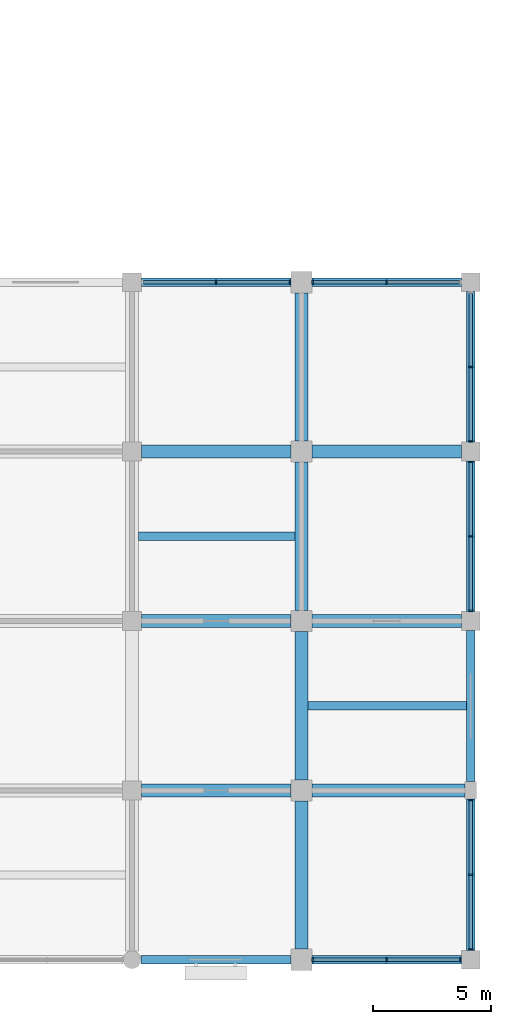
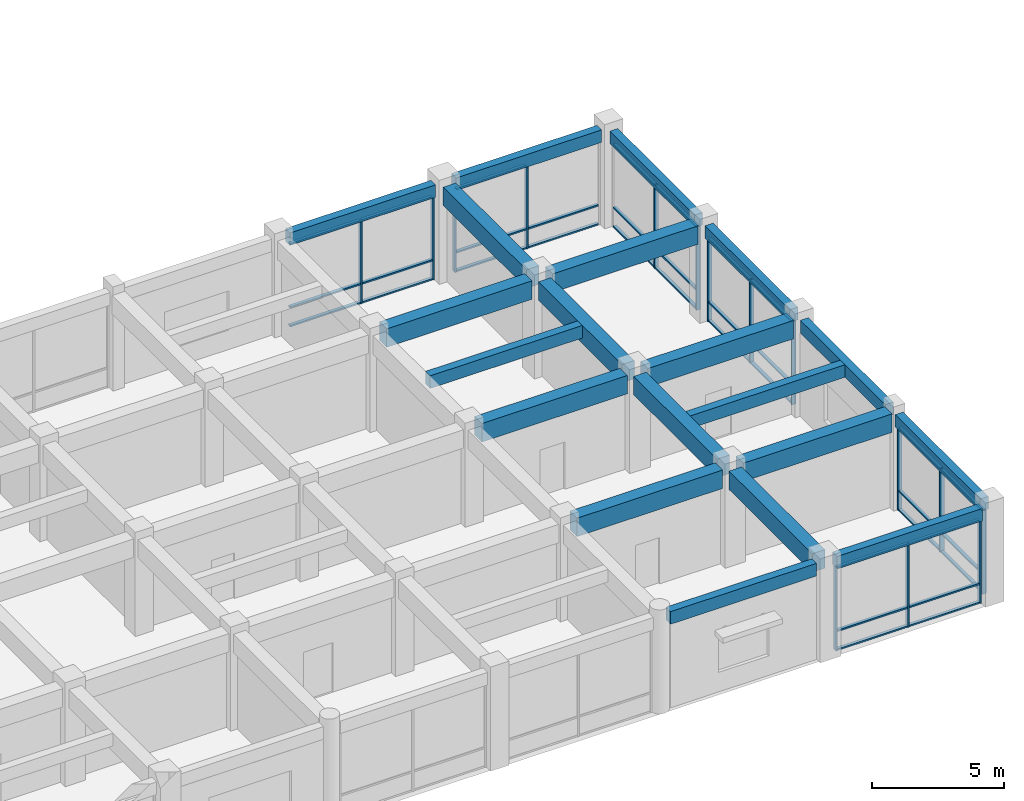
# One storey, part 32 of 75: 50 members, 20 beams, 6 elements without a shape of their own.
"""IFC4 building model written with IfcOpenShell, lengths in metres."""

from ifc_helpers import new_model, si_unit, direction, frame, origin, origin_2d, place, context, subcontext, project, spatial, rectangle, extrude, material, layer, layer_set, material_profile, profile_set, type_object, element, aggregate, save


model = new_model("IFC4")

# Units and contexts
model_context = context("Model", 3, precision=1e-05, world=origin(), true_north=direction((0.0, 1.0)))
body_context = subcontext(model_context, "Body", "Model", "MODEL_VIEW")
ifc_project = project(units=[si_unit("LENGTHUNIT", "METRE"), si_unit("AREAUNIT", "SQUARE_METRE"), si_unit("VOLUMEUNIT", "CUBIC_METRE"), si_unit("PLANEANGLEUNIT", "RADIAN"), si_unit("MASSUNIT", "GRAM", prefix="KILO")], contexts=[model_context])

# Site, building, storey
site_placement = place(None, origin())
site = spatial("IfcSite", under=ifc_project, at=site_placement, CompositionType="ELEMENT")
building_placement = place(site_placement, origin())
building = spatial("IfcBuilding", under=site, at=building_placement, Name="Cendaluz Park School", CompositionType="ELEMENT")
storey_placement = place(building_placement, frame((0.0, 0.0, 4.800048828125)))
storey = spatial("IfcBuildingStorey", under=building, at=storey_placement, Name="L01", CompositionType="ELEMENT", Elevation=4.800048828125)

# Beams
ifc_material_1 = material(Name="Concrete C40/50", Category="concrete")
ifc_material_profile_1 = material_profile(ifc_material_1, rectangle(XDim=0.550048828125, YDim=0.85009765625, at=origin_2d()), Name="RC 550x850", Category="concrete")
ifc_profile_set_1 = profile_set([ifc_material_profile_1], Name="Concrete C40/50")
beam_type_1 = type_object("IfcBeamType", Name="BM-RC01", PredefinedType="BEAM", material=ifc_profile_set_1)
for number, where, z_axis, x_axis, name in (
    (1, (158.800048828125, 7.199951171875, 4.0048828125), (1.0, 0.0, 0.0), (0.0, 1.0, 0.0), "BM-L01-BMRC01-0203"),
    (2, (158.800048828125, 14.39990234375, 4.0048828125), (1.0, 0.0, 0.0), (0.0, 1.0, 0.0), "BM-L01-BMRC01-0204"),
    (3, (158.800048828125, 21.60009765625, 4.0048828125), (1.0, 0.0, 0.0), (0.0, 1.0, 0.0), "BM-L01-BMRC01-0205"),
):
    element("IfcBeam", number, at=place(storey_placement, frame(where, z_axis=z_axis, x_axis=x_axis)), inside=storey, type_object=beam_type_1, Name=name, PredefinedType="BEAM", context=body_context, shape_type="SweptSolid", body=[
        extrude(rectangle(XDim=0.550048828125, YDim=0.85009765625, at=origin_2d()), origin(), (0.0, 0.0, 1.0), 6.349853515625),
    ])
beam_1_placement = place(storey_placement, frame((166.050048828125, 7.199951171875, 4.0048828125), z_axis=(1.0, 0.0, 0.0), x_axis=(0.0, 1.0, 0.0)))
element("IfcBeam", 4, at=beam_1_placement, inside=storey, type_object=beam_type_1, Name="BM-L01-BMRC01-0212", PredefinedType="BEAM", context=body_context, shape_type="SweptSolid", body=[
    extrude(rectangle(XDim=0.550048828125, YDim=0.85009765625, at=origin_2d()), origin(), (0.0, 0.0, 1.0), 6.5),
])
for number, where, z_axis, x_axis, name in (
    (5, (166.050048828125, 14.39990234375, 4.0048828125), (1.0, 0.0, 0.0), (0.0, 1.0, 0.0), "BM-L01-BMRC01-0213"),
    (6, (166.050048828125, 21.60009765625, 4.0048828125), (1.0, 0.0, 0.0), (0.0, 1.0, 0.0), "BM-L01-BMRC01-0214"),
):
    element("IfcBeam", number, at=place(storey_placement, frame(where, z_axis=z_axis, x_axis=x_axis)), inside=storey, type_object=beam_type_1, Name=name, PredefinedType="BEAM", context=body_context, shape_type="SweptSolid", body=[
        extrude(rectangle(XDim=0.550048828125, YDim=0.85009765625, at=origin_2d()), origin(), (0.0, 0.0, 1.0), 6.349853515625),
    ])
for number, where, z_axis, x_axis, name in (
    (7, (165.60009765625, 0.449951171875, 4.0048828125), (0.0, 1.0, 0.0), (-1.0, 0.0, 0.0), "BM-L01-BMRC01-0441"),
    (8, (165.60009765625, 7.64990234375, 4.0048828125), (0.0, 1.0, 0.0), (-1.0, 0.0, 0.0), "BM-L01-BMRC01-0442"),
):
    element("IfcBeam", number, at=place(storey_placement, frame(where, z_axis=z_axis, x_axis=x_axis)), inside=storey, type_object=beam_type_1, Name=name, PredefinedType="BEAM", context=body_context, shape_type="SweptSolid", body=[
        extrude(rectangle(XDim=0.550048828125, YDim=0.85009765625, at=origin_2d()), origin(), (0.0, 0.0, 1.0), 6.300048828125),
    ])
beam_2_placement = place(storey_placement, frame((165.60009765625, 14.85009765625, 4.0048828125), z_axis=(0.0, 1.0, 0.0), x_axis=(-1.0, 0.0, 0.0)))
element("IfcBeam", 9, at=beam_2_placement, inside=storey, type_object=beam_type_1, Name="BM-L01-BMRC01-0443", PredefinedType="BEAM", context=body_context, shape_type="SweptSolid", body=[
    extrude(rectangle(XDim=0.550048828125, YDim=0.85009765625, at=origin_2d()), origin(), (0.0, 0.0, 1.0), 6.2998046875),
])
beam_3_placement = place(storey_placement, frame((165.60009765625, 22.050048828125, 4.0048828125), z_axis=(0.0, 1.0, 0.0), x_axis=(-1.0, 0.0, 0.0)))
element("IfcBeam", 10, at=beam_3_placement, inside=storey, type_object=beam_type_1, Name="BM-L01-BMRC01-0444", PredefinedType="BEAM", context=body_context, shape_type="SweptSolid", body=[
    extrude(rectangle(XDim=0.550048828125, YDim=0.85009765625, at=origin_2d()), origin(), (0.0, 0.0, 1.0), 6.300048828125),
])
ifc_material_profile_2 = material_profile(ifc_material_1, rectangle(XDim=0.35009765625, YDim=0.580078125, at=origin_2d()), Name="RC 350x580", Category="concrete")
ifc_profile_set_2 = profile_set([ifc_material_profile_2], Name="Concrete C40/50")
beam_type_2 = type_object("IfcBeamType", Name="BM-RC04", PredefinedType="LINTEL", material=ifc_profile_set_2)
beam_4_placement = place(storey_placement, frame((158.77490234375, 0.0, 4.139892578125), z_axis=(1.0, 0.0, 0.0), x_axis=(0.0, 1.0, 0.0)))
element("IfcBeam", 11, at=beam_4_placement, inside=storey, type_object=beam_type_2, Name="BM-L01-BMRC04-0202", PredefinedType="LINTEL", context=body_context, shape_type="SweptSolid", body=[
    extrude(rectangle(XDim=0.35009765625, YDim=0.580078125, at=origin_2d()), origin(), (0.0, 0.0, 1.0), 6.375),
])
for number, where, z_axis, x_axis, name in (
    (12, (158.800048828125, 28.800048828125, 4.139892578125), (1.0, 0.0, 0.0), (0.0, 1.0, 0.0), "BM-L01-BMRC04-0206"),
    (13, (166.050048828125, 0.0, 4.139892578125), (1.0, 0.0, 0.0), (0.0, 1.0, 0.0), "BM-L01-BMRC04-0211"),
    (14, (166.050048828125, 28.800048828125, 4.139892578125), (1.0, 0.0, 0.0), (0.0, 1.0, 0.0), "BM-L01-BMRC04-0215"),
):
    element("IfcBeam", number, at=place(storey_placement, frame(where, z_axis=z_axis, x_axis=x_axis)), inside=storey, type_object=beam_type_2, Name=name, PredefinedType="LINTEL", context=body_context, shape_type="SweptSolid", body=[
        extrude(rectangle(XDim=0.35009765625, YDim=0.580078125, at=origin_2d()), origin(), (0.0, 0.0, 1.0), 6.349853515625),
    ])
for number, where, z_axis, x_axis, name in (
    (15, (172.800048828125, 0.39990234375, 4.139892578125), (0.0, 1.0, 0.0), (-1.0, 0.0, 0.0), "BM-L01-BMRC04-0453"),
    (16, (172.800048828125, 7.574951171875, 4.139892578125), (0.0, 1.0, 0.0), (-1.0, 0.0, 0.0), "BM-L01-BMRC04-0454"),
):
    element("IfcBeam", number, at=place(storey_placement, frame(where, z_axis=z_axis, x_axis=x_axis)), inside=storey, type_object=beam_type_2, Name=name, PredefinedType="LINTEL", context=body_context, shape_type="SweptSolid", body=[
        extrude(rectangle(XDim=0.35009765625, YDim=0.580078125, at=origin_2d()), origin(), (0.0, 0.0, 1.0), 6.425048828125),
    ])
for number, where, z_axis, x_axis, name in (
    (17, (172.800048828125, 14.800048828125, 4.139892578125), (0.0, 1.0, 0.0), (-1.0, 0.0, 0.0), "BM-L01-BMRC04-0455"),
    (18, (172.800048828125, 22.0, 4.139892578125), (0.0, 1.0, 0.0), (-1.0, 0.0, 0.0), "BM-L01-BMRC04-0456"),
):
    element("IfcBeam", number, at=place(storey_placement, frame(where, z_axis=z_axis, x_axis=x_axis)), inside=storey, type_object=beam_type_2, Name=name, PredefinedType="LINTEL", context=body_context, shape_type="SweptSolid", body=[
        extrude(rectangle(XDim=0.35009765625, YDim=0.580078125, at=origin_2d()), origin(), (0.0, 0.0, 1.0), 6.39990234375),
    ])

# Curtain wall, members
ifc_material_2 = material(Name="Anodised Aluminium 6063-T6", Category="aluminium")
ifc_layer_1 = layer(ifc_material_2, 0.179931640625)
ifc_layer_set_1 = layer_set([ifc_layer_1], Name="Anodised Aluminium 6063-T6")
curtain_wall_type_1 = type_object("IfcCurtainWallType", Name="CW-127x77", PredefinedType="NOTDEFINED", material=ifc_layer_set_1)
curtain_wall_1_placement = place(storey_placement, origin())
curtain_wall_1 = element("IfcCurtainWall", 19, at=curtain_wall_1_placement, inside=storey, type_object=curtain_wall_type_1, Name="CW-L01-075", PredefinedType="NOTDEFINED")
ifc_material_profile_3 = material_profile(ifc_material_2, rectangle(XDim=0.179931640625, YDim=0.070068359375, at=origin_2d()), Name="CWM 180x70", Category="aluminium")
ifc_profile_set_3 = profile_set([ifc_material_profile_3], Name="Anodised Aluminium 6063-T6")
member_type_1 = type_object("IfcMemberType", Name="CWM-01", PredefinedType="MULLION", material=ifc_profile_set_3)
member_1_placement = place(storey_placement, frame((161.97509765625, 28.800048828125, 0.0), z_axis=(0.0, 0.0, 1.0), x_axis=(0.0, 1.0, 0.0)))
member_1 = element("IfcMember", 20, at=member_1_placement, type_object=member_type_1, Name="CP-L01-0964", PredefinedType="MULLION", context=body_context, shape_type="SweptSolid", body=[
    extrude(rectangle(XDim=0.179931640625, YDim=0.070068359375, at=origin_2d()), origin(), (0.0, 0.0, 1.0), 3.849853515625),
])
member_2_placement = place(storey_placement, frame((165.114990234375, 28.800048828125, 0.0), z_axis=(0.0, 0.0, 1.0), x_axis=(0.0, 1.0, 0.0)))
member_2 = element("IfcMember", 21, at=member_2_placement, type_object=member_type_1, Name="CP-L01-0965", PredefinedType="MULLION", context=body_context, shape_type="SweptSolid", body=[
    extrude(rectangle(XDim=0.179931640625, YDim=0.070068359375, at=origin_2d()), origin(), (0.0, 0.0, 1.0), 3.849853515625),
])

curtain_wall_2_placement = place(storey_placement, origin())
curtain_wall_2 = element("IfcCurtainWall", 22, at=curtain_wall_2_placement, inside=storey, type_object=curtain_wall_type_1, Name="CW-L01-078", PredefinedType="NOTDEFINED")
member_3_placement = place(storey_placement, frame((166.0849609375, 0.0, 0.0), z_axis=(0.0, 0.0, 1.0), x_axis=(0.0, 1.0, 0.0)))
member_3 = element("IfcMember", 23, at=member_3_placement, type_object=member_type_1, Name="CP-L01-1002", PredefinedType="MULLION", context=body_context, shape_type="SweptSolid", body=[
    extrude(rectangle(XDim=0.179931640625, YDim=0.070068359375, at=origin_2d()), origin(), (0.0, 0.0, 1.0), 3.849853515625),
])
member_4_placement = place(storey_placement, frame((169.22509765625, 0.0, 0.0), z_axis=(0.0, 0.0, 1.0), x_axis=(0.0, 1.0, 0.0)))
member_4 = element("IfcMember", 24, at=member_4_placement, type_object=member_type_1, Name="CP-L01-1003", PredefinedType="MULLION", context=body_context, shape_type="SweptSolid", body=[
    extrude(rectangle(XDim=0.179931640625, YDim=0.070068359375, at=origin_2d()), origin(), (0.0, 0.0, 1.0), 3.849853515625),
])
member_5_placement = place(storey_placement, frame((172.364990234375, 0.0, 0.0), z_axis=(0.0, 0.0, 1.0), x_axis=(0.0, 1.0, 0.0)))
member_5 = element("IfcMember", 25, at=member_5_placement, type_object=member_type_1, Name="CP-L01-1004", PredefinedType="MULLION", context=body_context, shape_type="SweptSolid", body=[
    extrude(rectangle(XDim=0.179931640625, YDim=0.070068359375, at=origin_2d()), origin(), (0.0, 0.0, 1.0), 3.849853515625),
])

ifc_layer_2 = layer(ifc_material_2, 0.179931640625)
ifc_layer_set_2 = layer_set([ifc_layer_2], Name="Anodised Aluminium 6063-T6")
curtain_wall_type_2 = type_object("IfcCurtainWallType", Name="CW-128x77", PredefinedType="NOTDEFINED", material=ifc_layer_set_2)
curtain_wall_3_placement = place(storey_placement, origin())
curtain_wall_3 = element("IfcCurtainWall", 26, at=curtain_wall_3_placement, inside=storey, type_object=curtain_wall_type_2, Name="CW-L01-079", PredefinedType="NOTDEFINED")
member_6_placement = place(storey_placement, frame((172.800048828125, 0.43505859375, 0.0), z_axis=(0.0, 0.0, 1.0), x_axis=(-1.0, 0.0, 0.0)))
member_6 = element("IfcMember", 27, at=member_6_placement, type_object=member_type_1, Name="CP-L01-1015", PredefinedType="MULLION", context=body_context, shape_type="SweptSolid", body=[
    extrude(rectangle(XDim=0.179931640625, YDim=0.070068359375, at=origin_2d()), origin(), (0.0, 0.0, 1.0), 3.849853515625),
])
member_7_placement = place(storey_placement, frame((172.800048828125, 3.612548828125, 0.0), z_axis=(0.0, 0.0, 1.0), x_axis=(-1.0, 0.0, 0.0)))
member_7 = element("IfcMember", 28, at=member_7_placement, type_object=member_type_1, Name="CP-L01-1016", PredefinedType="MULLION", context=body_context, shape_type="SweptSolid", body=[
    extrude(rectangle(XDim=0.179931640625, YDim=0.070068359375, at=origin_2d()), origin(), (0.0, 0.0, 1.0), 3.849853515625),
])
member_8_placement = place(storey_placement, frame((172.800048828125, 6.7900390625, 0.0), z_axis=(0.0, 0.0, 1.0), x_axis=(-1.0, 0.0, 0.0)))
member_8 = element("IfcMember", 29, at=member_8_placement, type_object=member_type_1, Name="CP-L01-1017", PredefinedType="MULLION", context=body_context, shape_type="SweptSolid", body=[
    extrude(rectangle(XDim=0.179931640625, YDim=0.070068359375, at=origin_2d()), origin(), (0.0, 0.0, 1.0), 3.849853515625),
])

curtain_wall_4_placement = place(storey_placement, origin())
curtain_wall_4 = element("IfcCurtainWall", 30, at=curtain_wall_4_placement, inside=storey, type_object=curtain_wall_type_2, Name="CW-L01-080", PredefinedType="NOTDEFINED")
member_9_placement = place(storey_placement, frame((172.800048828125, 14.8349609375, 0.0), z_axis=(0.0, 0.0, 1.0), x_axis=(-1.0, 0.0, 0.0)))
member_9 = element("IfcMember", 31, at=member_9_placement, type_object=member_type_1, Name="CP-L01-1028", PredefinedType="MULLION", context=body_context, shape_type="SweptSolid", body=[
    extrude(rectangle(XDim=0.179931640625, YDim=0.070068359375, at=origin_2d()), origin(), (0.0, 0.0, 1.0), 3.849853515625),
])
member_10_placement = place(storey_placement, frame((172.800048828125, 18.0, 0.0), z_axis=(0.0, 0.0, 1.0), x_axis=(-1.0, 0.0, 0.0)))
member_10 = element("IfcMember", 32, at=member_10_placement, type_object=member_type_1, Name="CP-L01-1029", PredefinedType="MULLION", context=body_context, shape_type="SweptSolid", body=[
    extrude(rectangle(XDim=0.179931640625, YDim=0.070068359375, at=origin_2d()), origin(), (0.0, 0.0, 1.0), 3.849853515625),
])
member_11_placement = place(storey_placement, frame((172.800048828125, 21.1650390625, 0.0), z_axis=(0.0, 0.0, 1.0), x_axis=(-1.0, 0.0, 0.0)))
member_11 = element("IfcMember", 33, at=member_11_placement, type_object=member_type_1, Name="CP-L01-1030", PredefinedType="MULLION", context=body_context, shape_type="SweptSolid", body=[
    extrude(rectangle(XDim=0.179931640625, YDim=0.070068359375, at=origin_2d()), origin(), (0.0, 0.0, 1.0), 3.849853515625),
])

curtain_wall_5_placement = place(storey_placement, origin())
curtain_wall_5 = element("IfcCurtainWall", 34, at=curtain_wall_5_placement, inside=storey, type_object=curtain_wall_type_1, Name="CW-L01-081", PredefinedType="NOTDEFINED")
member_12_placement = place(storey_placement, frame((166.0849609375, 28.800048828125, 0.0), z_axis=(0.0, 0.0, 1.0), x_axis=(0.0, 1.0, 0.0)))
member_12 = element("IfcMember", 35, at=member_12_placement, type_object=member_type_1, Name="CP-L01-1041", PredefinedType="MULLION", context=body_context, shape_type="SweptSolid", body=[
    extrude(rectangle(XDim=0.179931640625, YDim=0.070068359375, at=origin_2d()), origin(), (0.0, 0.0, 1.0), 3.849853515625),
])
member_13_placement = place(storey_placement, frame((169.22509765625, 28.800048828125, 0.0), z_axis=(0.0, 0.0, 1.0), x_axis=(0.0, 1.0, 0.0)))
member_13 = element("IfcMember", 36, at=member_13_placement, type_object=member_type_1, Name="CP-L01-1042", PredefinedType="MULLION", context=body_context, shape_type="SweptSolid", body=[
    extrude(rectangle(XDim=0.179931640625, YDim=0.070068359375, at=origin_2d()), origin(), (0.0, 0.0, 1.0), 3.849853515625),
])

curtain_wall_6_placement = place(storey_placement, origin())
curtain_wall_6 = element("IfcCurtainWall", 37, at=curtain_wall_6_placement, inside=storey, type_object=curtain_wall_type_2, Name="CW-L01-082", PredefinedType="NOTDEFINED")
member_14_placement = place(storey_placement, frame((172.800048828125, 22.034912109375, 0.0), z_axis=(0.0, 0.0, 1.0), x_axis=(-1.0, 0.0, 0.0)))
member_14 = element("IfcMember", 38, at=member_14_placement, type_object=member_type_1, Name="CP-L01-1054", PredefinedType="MULLION", context=body_context, shape_type="SweptSolid", body=[
    extrude(rectangle(XDim=0.179931640625, YDim=0.070068359375, at=origin_2d()), origin(), (0.0, 0.0, 1.0), 3.849853515625),
])
member_15_placement = place(storey_placement, frame((172.800048828125, 25.199951171875, 0.0), z_axis=(0.0, 0.0, 1.0), x_axis=(-1.0, 0.0, 0.0)))
member_15 = element("IfcMember", 39, at=member_15_placement, type_object=member_type_1, Name="CP-L01-1055", PredefinedType="MULLION", context=body_context, shape_type="SweptSolid", body=[
    extrude(rectangle(XDim=0.179931640625, YDim=0.070068359375, at=origin_2d()), origin(), (0.0, 0.0, 1.0), 3.849853515625),
])

# Member
ifc_material_profile_4 = material_profile(ifc_material_2, rectangle(XDim=0.139892578125, YDim=0.070068359375, at=origin_2d()), Name="CWT 140x70", Category="aluminium")
ifc_profile_set_4 = profile_set([ifc_material_profile_4], Name="Anodised Aluminium 6063-T6")
member_type_2 = type_object("IfcMemberType", Name="CWT-01", PredefinedType="USERDEFINED", material=ifc_profile_set_4)
member_16_placement = place(storey_placement, frame((158.8701171875, 28.800048828125, 0.034912109375), z_axis=(1.0, 0.0, 0.0), x_axis=(0.0, 1.0, 0.0)))
member_16 = element("IfcMember", 40, at=member_16_placement, type_object=member_type_2, Name="CP-L01-0966", ObjectType="TRANSOM", PredefinedType="USERDEFINED", context=body_context, shape_type="SweptSolid", body=[
    extrude(rectangle(XDim=0.139892578125, YDim=0.070068359375, at=origin_2d()), origin(), (0.0, 0.0, 1.0), 3.06982421875),
])

member_17_placement = place(storey_placement, frame((158.8701171875, 28.800048828125, 0.89990234375), z_axis=(1.0, 0.0, 0.0), x_axis=(0.0, 1.0, 0.0)))
member_17 = element("IfcMember", 41, at=member_17_placement, type_object=member_type_2, Name="CP-L01-0967", ObjectType="TRANSOM", PredefinedType="USERDEFINED", context=body_context, shape_type="SweptSolid", body=[
    extrude(rectangle(XDim=0.139892578125, YDim=0.070068359375, at=origin_2d()), origin(), (0.0, 0.0, 1.0), 3.06982421875),
])

member_18_placement = place(storey_placement, frame((158.8701171875, 28.800048828125, 3.81494140625), z_axis=(1.0, 0.0, 0.0), x_axis=(0.0, 1.0, 0.0)))
member_18 = element("IfcMember", 42, at=member_18_placement, type_object=member_type_2, Name="CP-L01-0968", ObjectType="TRANSOM", PredefinedType="USERDEFINED", context=body_context, shape_type="SweptSolid", body=[
    extrude(rectangle(XDim=0.139892578125, YDim=0.070068359375, at=origin_2d()), origin(), (0.0, 0.0, 1.0), 3.06982421875),
])

member_19_placement = place(storey_placement, frame((162.010009765625, 28.800048828125, 0.034912109375), z_axis=(1.0, 0.0, 0.0), x_axis=(0.0, 1.0, 0.0)))
member_19 = element("IfcMember", 43, at=member_19_placement, type_object=member_type_2, Name="CP-L01-0971", ObjectType="TRANSOM", PredefinedType="USERDEFINED", context=body_context, shape_type="SweptSolid", body=[
    extrude(rectangle(XDim=0.139892578125, YDim=0.070068359375, at=origin_2d()), origin(), (0.0, 0.0, 1.0), 3.070068359375),
])

member_20_placement = place(storey_placement, frame((162.010009765625, 28.800048828125, 0.89990234375), z_axis=(1.0, 0.0, 0.0), x_axis=(0.0, 1.0, 0.0)))
member_20 = element("IfcMember", 44, at=member_20_placement, type_object=member_type_2, Name="CP-L01-0972", ObjectType="TRANSOM", PredefinedType="USERDEFINED", context=body_context, shape_type="SweptSolid", body=[
    extrude(rectangle(XDim=0.139892578125, YDim=0.070068359375, at=origin_2d()), origin(), (0.0, 0.0, 1.0), 3.070068359375),
])

member_21_placement = place(storey_placement, frame((162.010009765625, 28.800048828125, 3.81494140625), z_axis=(1.0, 0.0, 0.0), x_axis=(0.0, 1.0, 0.0)))
member_21 = element("IfcMember", 45, at=member_21_placement, type_object=member_type_2, Name="CP-L01-0973", ObjectType="TRANSOM", PredefinedType="USERDEFINED", context=body_context, shape_type="SweptSolid", body=[
    extrude(rectangle(XDim=0.139892578125, YDim=0.070068359375, at=origin_2d()), origin(), (0.0, 0.0, 1.0), 3.070068359375),
])

aggregate(curtain_wall_1, [member_1, member_2, member_16, member_17, member_18, member_19, member_20, member_21])

member_22_placement = place(storey_placement, frame((166.1201171875, 0.0, 0.034912109375), z_axis=(1.0, 0.0, 0.0), x_axis=(0.0, 1.0, 0.0)))
member_22 = element("IfcMember", 46, at=member_22_placement, type_object=member_type_2, Name="CP-L01-1005", ObjectType="TRANSOM", PredefinedType="USERDEFINED", context=body_context, shape_type="SweptSolid", body=[
    extrude(rectangle(XDim=0.139892578125, YDim=0.070068359375, at=origin_2d()), origin(), (0.0, 0.0, 1.0), 3.06982421875),
])

member_23_placement = place(storey_placement, frame((166.1201171875, 0.0, 0.89990234375), z_axis=(1.0, 0.0, 0.0), x_axis=(0.0, 1.0, 0.0)))
member_23 = element("IfcMember", 47, at=member_23_placement, type_object=member_type_2, Name="CP-L01-1006", ObjectType="TRANSOM", PredefinedType="USERDEFINED", context=body_context, shape_type="SweptSolid", body=[
    extrude(rectangle(XDim=0.139892578125, YDim=0.070068359375, at=origin_2d()), origin(), (0.0, 0.0, 1.0), 3.06982421875),
])

member_24_placement = place(storey_placement, frame((166.1201171875, 0.0, 3.81494140625), z_axis=(1.0, 0.0, 0.0), x_axis=(0.0, 1.0, 0.0)))
member_24 = element("IfcMember", 48, at=member_24_placement, type_object=member_type_2, Name="CP-L01-1007", ObjectType="TRANSOM", PredefinedType="USERDEFINED", context=body_context, shape_type="SweptSolid", body=[
    extrude(rectangle(XDim=0.139892578125, YDim=0.070068359375, at=origin_2d()), origin(), (0.0, 0.0, 1.0), 3.06982421875),
])

member_25_placement = place(storey_placement, frame((169.260009765625, 0.0, 0.034912109375), z_axis=(1.0, 0.0, 0.0), x_axis=(0.0, 1.0, 0.0)))
member_25 = element("IfcMember", 49, at=member_25_placement, type_object=member_type_2, Name="CP-L01-1010", ObjectType="TRANSOM", PredefinedType="USERDEFINED", context=body_context, shape_type="SweptSolid", body=[
    extrude(rectangle(XDim=0.139892578125, YDim=0.070068359375, at=origin_2d()), origin(), (0.0, 0.0, 1.0), 3.070068359375),
])

member_26_placement = place(storey_placement, frame((169.260009765625, 0.0, 0.89990234375), z_axis=(1.0, 0.0, 0.0), x_axis=(0.0, 1.0, 0.0)))
member_26 = element("IfcMember", 50, at=member_26_placement, type_object=member_type_2, Name="CP-L01-1011", ObjectType="TRANSOM", PredefinedType="USERDEFINED", context=body_context, shape_type="SweptSolid", body=[
    extrude(rectangle(XDim=0.139892578125, YDim=0.070068359375, at=origin_2d()), origin(), (0.0, 0.0, 1.0), 3.070068359375),
])

member_27_placement = place(storey_placement, frame((169.260009765625, 0.0, 3.81494140625), z_axis=(1.0, 0.0, 0.0), x_axis=(0.0, 1.0, 0.0)))
member_27 = element("IfcMember", 51, at=member_27_placement, type_object=member_type_2, Name="CP-L01-1012", ObjectType="TRANSOM", PredefinedType="USERDEFINED", context=body_context, shape_type="SweptSolid", body=[
    extrude(rectangle(XDim=0.139892578125, YDim=0.070068359375, at=origin_2d()), origin(), (0.0, 0.0, 1.0), 3.070068359375),
])

aggregate(curtain_wall_2, [member_3, member_4, member_5, member_22, member_23, member_24, member_25, member_26, member_27])

member_28_placement = place(storey_placement, frame((172.800048828125, 0.469970703125, 0.034912109375), z_axis=(0.0, 1.0, 0.0), x_axis=(-1.0, 0.0, 0.0)))
member_28 = element("IfcMember", 52, at=member_28_placement, type_object=member_type_2, Name="CP-L01-1018", ObjectType="TRANSOM", PredefinedType="USERDEFINED", context=body_context, shape_type="SweptSolid", body=[
    extrude(rectangle(XDim=0.139892578125, YDim=0.070068359375, at=origin_2d()), origin(), (0.0, 0.0, 1.0), 3.107421875),
])

member_29_placement = place(storey_placement, frame((172.800048828125, 0.469970703125, 0.89990234375), z_axis=(0.0, 1.0, 0.0), x_axis=(-1.0, 0.0, 0.0)))
member_29 = element("IfcMember", 53, at=member_29_placement, type_object=member_type_2, Name="CP-L01-1019", ObjectType="TRANSOM", PredefinedType="USERDEFINED", context=body_context, shape_type="SweptSolid", body=[
    extrude(rectangle(XDim=0.139892578125, YDim=0.070068359375, at=origin_2d()), origin(), (0.0, 0.0, 1.0), 3.107421875),
])

member_30_placement = place(storey_placement, frame((172.800048828125, 0.469970703125, 3.81494140625), z_axis=(0.0, 1.0, 0.0), x_axis=(-1.0, 0.0, 0.0)))
member_30 = element("IfcMember", 54, at=member_30_placement, type_object=member_type_2, Name="CP-L01-1020", ObjectType="TRANSOM", PredefinedType="USERDEFINED", context=body_context, shape_type="SweptSolid", body=[
    extrude(rectangle(XDim=0.139892578125, YDim=0.070068359375, at=origin_2d()), origin(), (0.0, 0.0, 1.0), 3.107421875),
])

member_31_placement = place(storey_placement, frame((172.800048828125, 3.6474609375, 0.034912109375), z_axis=(0.0, 1.0, 0.0), x_axis=(-1.0, 0.0, 0.0)))
member_31 = element("IfcMember", 55, at=member_31_placement, type_object=member_type_2, Name="CP-L01-1023", ObjectType="TRANSOM", PredefinedType="USERDEFINED", context=body_context, shape_type="SweptSolid", body=[
    extrude(rectangle(XDim=0.139892578125, YDim=0.070068359375, at=origin_2d()), origin(), (0.0, 0.0, 1.0), 3.107421875),
])

member_32_placement = place(storey_placement, frame((172.800048828125, 3.6474609375, 0.89990234375), z_axis=(0.0, 1.0, 0.0), x_axis=(-1.0, 0.0, 0.0)))
member_32 = element("IfcMember", 56, at=member_32_placement, type_object=member_type_2, Name="CP-L01-1024", ObjectType="TRANSOM", PredefinedType="USERDEFINED", context=body_context, shape_type="SweptSolid", body=[
    extrude(rectangle(XDim=0.139892578125, YDim=0.070068359375, at=origin_2d()), origin(), (0.0, 0.0, 1.0), 3.107421875),
])

member_33_placement = place(storey_placement, frame((172.800048828125, 3.6474609375, 3.81494140625), z_axis=(0.0, 1.0, 0.0), x_axis=(-1.0, 0.0, 0.0)))
member_33 = element("IfcMember", 57, at=member_33_placement, type_object=member_type_2, Name="CP-L01-1025", ObjectType="TRANSOM", PredefinedType="USERDEFINED", context=body_context, shape_type="SweptSolid", body=[
    extrude(rectangle(XDim=0.139892578125, YDim=0.070068359375, at=origin_2d()), origin(), (0.0, 0.0, 1.0), 3.107421875),
])

aggregate(curtain_wall_3, [member_6, member_7, member_8, member_28, member_29, member_30, member_31, member_32, member_33])

member_34_placement = place(storey_placement, frame((172.800048828125, 14.8701171875, 0.034912109375), z_axis=(0.0, 1.0, 0.0), x_axis=(-1.0, 0.0, 0.0)))
member_34 = element("IfcMember", 58, at=member_34_placement, type_object=member_type_2, Name="CP-L01-1031", ObjectType="TRANSOM", PredefinedType="USERDEFINED", context=body_context, shape_type="SweptSolid", body=[
    extrude(rectangle(XDim=0.139892578125, YDim=0.070068359375, at=origin_2d()), origin(), (0.0, 0.0, 1.0), 3.094970703125),
])

member_35_placement = place(storey_placement, frame((172.800048828125, 14.8701171875, 0.89990234375), z_axis=(0.0, 1.0, 0.0), x_axis=(-1.0, 0.0, 0.0)))
member_35 = element("IfcMember", 59, at=member_35_placement, type_object=member_type_2, Name="CP-L01-1032", ObjectType="TRANSOM", PredefinedType="USERDEFINED", context=body_context, shape_type="SweptSolid", body=[
    extrude(rectangle(XDim=0.139892578125, YDim=0.070068359375, at=origin_2d()), origin(), (0.0, 0.0, 1.0), 3.094970703125),
])

member_36_placement = place(storey_placement, frame((172.800048828125, 14.8701171875, 3.81494140625), z_axis=(0.0, 1.0, 0.0), x_axis=(-1.0, 0.0, 0.0)))
member_36 = element("IfcMember", 60, at=member_36_placement, type_object=member_type_2, Name="CP-L01-1033", ObjectType="TRANSOM", PredefinedType="USERDEFINED", context=body_context, shape_type="SweptSolid", body=[
    extrude(rectangle(XDim=0.139892578125, YDim=0.070068359375, at=origin_2d()), origin(), (0.0, 0.0, 1.0), 3.094970703125),
])

member_37_placement = place(storey_placement, frame((172.800048828125, 18.034912109375, 0.034912109375), z_axis=(0.0, 1.0, 0.0), x_axis=(-1.0, 0.0, 0.0)))
member_37 = element("IfcMember", 61, at=member_37_placement, type_object=member_type_2, Name="CP-L01-1036", ObjectType="TRANSOM", PredefinedType="USERDEFINED", context=body_context, shape_type="SweptSolid", body=[
    extrude(rectangle(XDim=0.139892578125, YDim=0.070068359375, at=origin_2d()), origin(), (0.0, 0.0, 1.0), 3.094970703125),
])

member_38_placement = place(storey_placement, frame((172.800048828125, 18.034912109375, 0.89990234375), z_axis=(0.0, 1.0, 0.0), x_axis=(-1.0, 0.0, 0.0)))
member_38 = element("IfcMember", 62, at=member_38_placement, type_object=member_type_2, Name="CP-L01-1037", ObjectType="TRANSOM", PredefinedType="USERDEFINED", context=body_context, shape_type="SweptSolid", body=[
    extrude(rectangle(XDim=0.139892578125, YDim=0.070068359375, at=origin_2d()), origin(), (0.0, 0.0, 1.0), 3.094970703125),
])

member_39_placement = place(storey_placement, frame((172.800048828125, 18.034912109375, 3.81494140625), z_axis=(0.0, 1.0, 0.0), x_axis=(-1.0, 0.0, 0.0)))
member_39 = element("IfcMember", 63, at=member_39_placement, type_object=member_type_2, Name="CP-L01-1038", ObjectType="TRANSOM", PredefinedType="USERDEFINED", context=body_context, shape_type="SweptSolid", body=[
    extrude(rectangle(XDim=0.139892578125, YDim=0.070068359375, at=origin_2d()), origin(), (0.0, 0.0, 1.0), 3.094970703125),
])

aggregate(curtain_wall_4, [member_9, member_10, member_11, member_34, member_35, member_36, member_37, member_38, member_39])

member_40_placement = place(storey_placement, frame((166.1201171875, 28.800048828125, 0.034912109375), z_axis=(1.0, 0.0, 0.0), x_axis=(0.0, 1.0, 0.0)))
member_40 = element("IfcMember", 64, at=member_40_placement, type_object=member_type_2, Name="CP-L01-1044", ObjectType="TRANSOM", PredefinedType="USERDEFINED", context=body_context, shape_type="SweptSolid", body=[
    extrude(rectangle(XDim=0.139892578125, YDim=0.070068359375, at=origin_2d()), origin(), (0.0, 0.0, 1.0), 3.06982421875),
])

member_41_placement = place(storey_placement, frame((166.1201171875, 28.800048828125, 0.89990234375), z_axis=(1.0, 0.0, 0.0), x_axis=(0.0, 1.0, 0.0)))
member_41 = element("IfcMember", 65, at=member_41_placement, type_object=member_type_2, Name="CP-L01-1045", ObjectType="TRANSOM", PredefinedType="USERDEFINED", context=body_context, shape_type="SweptSolid", body=[
    extrude(rectangle(XDim=0.139892578125, YDim=0.070068359375, at=origin_2d()), origin(), (0.0, 0.0, 1.0), 3.06982421875),
])

member_42_placement = place(storey_placement, frame((166.1201171875, 28.800048828125, 3.81494140625), z_axis=(1.0, 0.0, 0.0), x_axis=(0.0, 1.0, 0.0)))
member_42 = element("IfcMember", 66, at=member_42_placement, type_object=member_type_2, Name="CP-L01-1046", ObjectType="TRANSOM", PredefinedType="USERDEFINED", context=body_context, shape_type="SweptSolid", body=[
    extrude(rectangle(XDim=0.139892578125, YDim=0.070068359375, at=origin_2d()), origin(), (0.0, 0.0, 1.0), 3.06982421875),
])

member_43_placement = place(storey_placement, frame((169.260009765625, 28.800048828125, 0.034912109375), z_axis=(1.0, 0.0, 0.0), x_axis=(0.0, 1.0, 0.0)))
member_43 = element("IfcMember", 67, at=member_43_placement, type_object=member_type_2, Name="CP-L01-1049", ObjectType="TRANSOM", PredefinedType="USERDEFINED", context=body_context, shape_type="SweptSolid", body=[
    extrude(rectangle(XDim=0.139892578125, YDim=0.070068359375, at=origin_2d()), origin(), (0.0, 0.0, 1.0), 3.070068359375),
])

member_44_placement = place(storey_placement, frame((169.260009765625, 28.800048828125, 0.89990234375), z_axis=(1.0, 0.0, 0.0), x_axis=(0.0, 1.0, 0.0)))
member_44 = element("IfcMember", 68, at=member_44_placement, type_object=member_type_2, Name="CP-L01-1050", ObjectType="TRANSOM", PredefinedType="USERDEFINED", context=body_context, shape_type="SweptSolid", body=[
    extrude(rectangle(XDim=0.139892578125, YDim=0.070068359375, at=origin_2d()), origin(), (0.0, 0.0, 1.0), 3.070068359375),
])

aggregate(curtain_wall_5, [member_12, member_13, member_40, member_41, member_42, member_43, member_44])

member_45_placement = place(storey_placement, frame((172.800048828125, 22.070068359375, 0.034912109375), z_axis=(0.0, 1.0, 0.0), x_axis=(-1.0, 0.0, 0.0)))
member_45 = element("IfcMember", 69, at=member_45_placement, type_object=member_type_2, Name="CP-L01-1057", ObjectType="TRANSOM", PredefinedType="USERDEFINED", context=body_context, shape_type="SweptSolid", body=[
    extrude(rectangle(XDim=0.139892578125, YDim=0.070068359375, at=origin_2d()), origin(), (0.0, 0.0, 1.0), 3.094970703125),
])

member_46_placement = place(storey_placement, frame((172.800048828125, 22.070068359375, 0.89990234375), z_axis=(0.0, 1.0, 0.0), x_axis=(-1.0, 0.0, 0.0)))
member_46 = element("IfcMember", 70, at=member_46_placement, type_object=member_type_2, Name="CP-L01-1058", ObjectType="TRANSOM", PredefinedType="USERDEFINED", context=body_context, shape_type="SweptSolid", body=[
    extrude(rectangle(XDim=0.139892578125, YDim=0.070068359375, at=origin_2d()), origin(), (0.0, 0.0, 1.0), 3.094970703125),
])

member_47_placement = place(storey_placement, frame((172.800048828125, 22.070068359375, 3.81494140625), z_axis=(0.0, 1.0, 0.0), x_axis=(-1.0, 0.0, 0.0)))
member_47 = element("IfcMember", 71, at=member_47_placement, type_object=member_type_2, Name="CP-L01-1059", ObjectType="TRANSOM", PredefinedType="USERDEFINED", context=body_context, shape_type="SweptSolid", body=[
    extrude(rectangle(XDim=0.139892578125, YDim=0.070068359375, at=origin_2d()), origin(), (0.0, 0.0, 1.0), 3.094970703125),
])

member_48_placement = place(storey_placement, frame((172.800048828125, 25.235107421875, 0.034912109375), z_axis=(0.0, 1.0, 0.0), x_axis=(-1.0, 0.0, 0.0)))
member_48 = element("IfcMember", 72, at=member_48_placement, type_object=member_type_2, Name="CP-L01-1062", ObjectType="TRANSOM", PredefinedType="USERDEFINED", context=body_context, shape_type="SweptSolid", body=[
    extrude(rectangle(XDim=0.139892578125, YDim=0.070068359375, at=origin_2d()), origin(), (0.0, 0.0, 1.0), 3.094970703125),
])

member_49_placement = place(storey_placement, frame((172.800048828125, 25.235107421875, 0.89990234375), z_axis=(0.0, 1.0, 0.0), x_axis=(-1.0, 0.0, 0.0)))
member_49 = element("IfcMember", 73, at=member_49_placement, type_object=member_type_2, Name="CP-L01-1063", ObjectType="TRANSOM", PredefinedType="USERDEFINED", context=body_context, shape_type="SweptSolid", body=[
    extrude(rectangle(XDim=0.139892578125, YDim=0.070068359375, at=origin_2d()), origin(), (0.0, 0.0, 1.0), 3.094970703125),
])

member_50_placement = place(storey_placement, frame((172.800048828125, 25.235107421875, 3.81494140625), z_axis=(0.0, 1.0, 0.0), x_axis=(-1.0, 0.0, 0.0)))
member_50 = element("IfcMember", 74, at=member_50_placement, type_object=member_type_2, Name="CP-L01-1064", ObjectType="TRANSOM", PredefinedType="USERDEFINED", context=body_context, shape_type="SweptSolid", body=[
    extrude(rectangle(XDim=0.139892578125, YDim=0.070068359375, at=origin_2d()), origin(), (0.0, 0.0, 1.0), 3.094970703125),
])

aggregate(curtain_wall_6, [member_14, member_15, member_45, member_46, member_47, member_48, member_49, member_50])

# Beams
ifc_material_profile_5 = material_profile(ifc_material_1, rectangle(XDim=0.35009765625, YDim=0.580078125, at=origin_2d()), Name="RC 350x580", Category="concrete")
ifc_profile_set_5 = profile_set([ifc_material_profile_5], Name="Concrete C40/50")
beam_type_3 = type_object("IfcBeamType", Name="JT-RC01", PredefinedType="JOIST", material=ifc_profile_set_5)
beam_5_placement = place(storey_placement, frame((158.675048828125, 18.0, 4.139892578125), z_axis=(1.0, 0.0, 0.0), x_axis=(0.0, 1.0, 0.0)))
element("IfcBeam", 75, at=beam_5_placement, inside=storey, type_object=beam_type_3, Name="BM-L01-JTRC01-0520", PredefinedType="JOIST", context=body_context, shape_type="SweptSolid", body=[
    extrude(rectangle(XDim=0.35009765625, YDim=0.580078125, at=origin_2d()), origin(), (0.0, 0.0, 1.0), 6.64990234375),
])
beam_6_placement = place(storey_placement, frame((165.875, 10.800048828125, 4.139892578125), z_axis=(1.0, 0.0, 0.0), x_axis=(0.0, 1.0, 0.0)))
element("IfcBeam", 76, at=beam_6_placement, inside=storey, type_object=beam_type_3, Name="BM-L01-JTRC01-0522", PredefinedType="JOIST", context=body_context, shape_type="SweptSolid", body=[
    extrude(rectangle(XDim=0.35009765625, YDim=0.580078125, at=origin_2d()), origin(), (0.0, 0.0, 1.0), 6.75),
])

save(model, "model.ifc")
